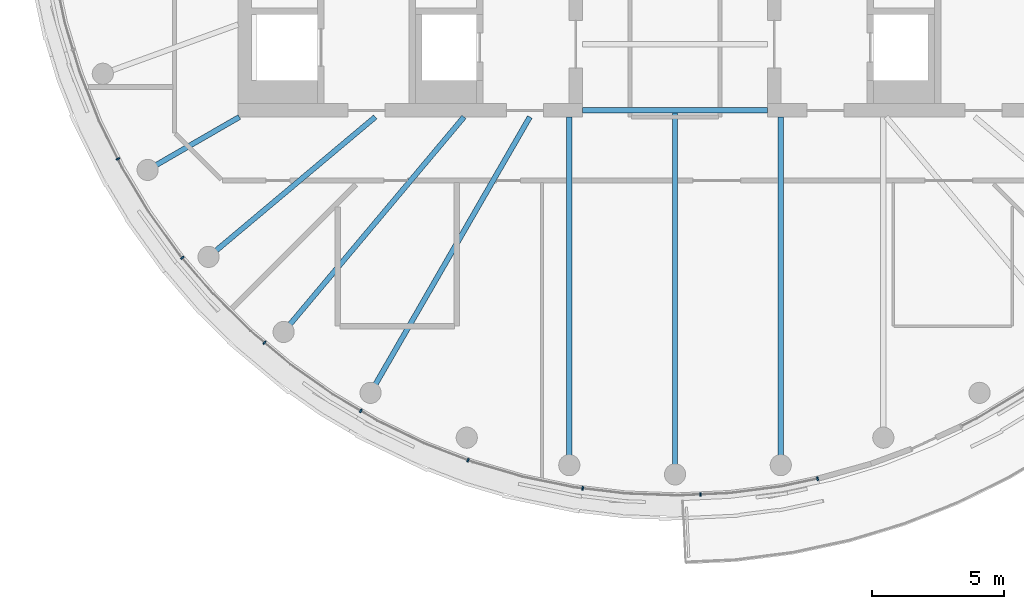
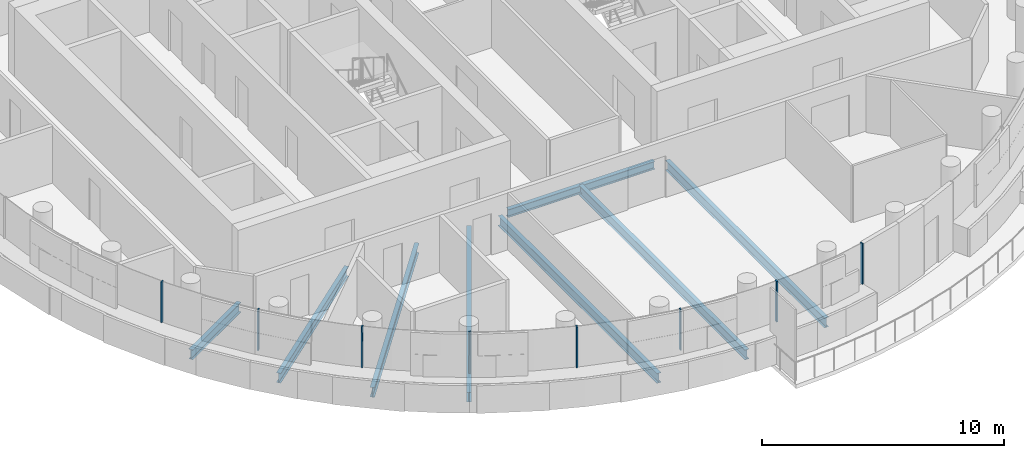
# One storey, part 2 of 21: 8 beams, 8 members, 1 element without a shape of its own.
"""IFC4 building model written with IfcOpenShell, lengths in metres."""

from ifc_helpers import new_model, si_unit, direction, frame, origin, origin_2d, place, context, subcontext, project, spatial, rectangle, i_section, extrude, material, layer, layer_set, material_profile, profile_set, type_object, element, aggregate, save


model = new_model("IFC4")

# Units and contexts
model_context = context("Model", 3, precision=1e-05, world=origin(), true_north=direction((0.0, 1.0)))
body_context = subcontext(model_context, "Body", "Model", "MODEL_VIEW")
ifc_project = project(units=[si_unit("LENGTHUNIT", "METRE"), si_unit("AREAUNIT", "SQUARE_METRE"), si_unit("VOLUMEUNIT", "CUBIC_METRE"), si_unit("PLANEANGLEUNIT", "RADIAN"), si_unit("MASSUNIT", "GRAM", prefix="KILO")], contexts=[model_context])

# Site, building, storey
site_placement = place(None, origin())
site = spatial("IfcSite", under=ifc_project, at=site_placement, CompositionType="ELEMENT")
building_placement = place(site_placement, origin())
building = spatial("IfcBuilding", under=site, at=building_placement, Name="Tamarind Cross Interchange Tower", CompositionType="ELEMENT")
storey_placement = place(building_placement, frame((0.0, 0.0, 264.0)))
storey = spatial("IfcBuildingStorey", under=building, at=storey_placement, Name="L67", CompositionType="ELEMENT", Elevation=264.0)

# Beams
ifc_material_1 = material(Name="Steel Q355B", Category="steel")
ifc_material_profile_1 = material_profile(ifc_material_1, i_section(OverallWidth=0.199951171875, OverallDepth=0.39990234375, WebThickness=0.008056640625, FlangeThickness=0.012939453125, FilletRadius=0.01611328125, at=origin_2d()), Name="HN 400x200x8x13")
ifc_profile_set_1 = profile_set([ifc_material_profile_1], Name="Steel Q355B")
beam_type_1 = type_object("IfcBeamType", Name="Composite beam HN 400x200x8x13 Q355B", PredefinedType="BEAM", material=ifc_profile_set_1)
beam_1_placement = place(storey_placement, frame((-3.5, -9.25, -0.340087890625), z_axis=(1.0, 0.0, 0.0), x_axis=(0.0, 1.0, 0.0)))
element("IfcBeam", 1, at=beam_1_placement, inside=storey, type_object=beam_type_1, Name="Beam G-9.25", PredefinedType="BEAM", context=body_context, shape_type="SweptSolid", body=[
    extrude(i_section(OverallWidth=0.199951171875, OverallDepth=0.39990234375, WebThickness=0.008056640625, FlangeThickness=0.012939453125, FilletRadius=0.01611328125, at=origin_2d()), origin(), (0.0, 0.0, 1.0), 7.0),
])
ifc_material_profile_2 = material_profile(ifc_material_1, i_section(OverallWidth=0.198974609375, OverallDepth=0.49609375, WebThickness=0.009033203125, FlangeThickness=0.013916015625, FilletRadius=0.012939453125, at=origin_2d()), Name="HN 496x199x9x14")
ifc_profile_set_2 = profile_set([ifc_material_profile_2], Name="Steel Q355B")
beam_type_2 = type_object("IfcBeamType", Name="Composite beam HN 496x199x9x14 Q355B", PredefinedType="BEAM", material=ifc_profile_set_2)
beam_2_placement = place(storey_placement, frame((-19.918701171875, -11.5, -0.387939453125), z_axis=(0.866026010844, 0.49999894854, 0.0), x_axis=(-0.49999894854, 0.866026010844, 0.0)))
element("IfcBeam", 2, at=beam_2_placement, inside=storey, type_object=beam_type_2, Name="Beam HH21", PredefinedType="BEAM", context=body_context, shape_type="SweptSolid", body=[
    extrude(i_section(OverallWidth=0.198974609375, OverallDepth=0.49609375, WebThickness=0.009033203125, FlangeThickness=0.013916015625, FilletRadius=0.012939453125, at=origin_2d()), origin(), (0.0, 0.0, 1.0), 4.0),
])
beam_3_placement = place(storey_placement, frame((-17.619140625, -14.7841796875, -0.387939453125), z_axis=(0.766040580814, 0.642792212574, 0.0), x_axis=(-0.642792212574, 0.766040580814, 0.0)))
element("IfcBeam", 3, at=beam_3_placement, inside=storey, type_object=beam_type_2, Name="Beam HH22", PredefinedType="BEAM", context=body_context, shape_type="SweptSolid", body=[
    extrude(i_section(OverallWidth=0.198974609375, OverallDepth=0.49609375, WebThickness=0.009033203125, FlangeThickness=0.013916015625, FilletRadius=0.012939453125, at=origin_2d()), origin(), (0.0, 0.0, 1.0), 8.220703125),
])
beam_4_placement = place(storey_placement, frame((-14.7841796875, -17.619140625, -0.387939453125), z_axis=(0.642786293979, 0.766045547127, 0.0), x_axis=(-0.766045547127, 0.642786293979, 0.0)))
element("IfcBeam", 4, at=beam_4_placement, inside=storey, type_object=beam_type_2, Name="Beam HH23", PredefinedType="BEAM", context=body_context, shape_type="SweptSolid", body=[
    extrude(i_section(OverallWidth=0.198974609375, OverallDepth=0.49609375, WebThickness=0.009033203125, FlangeThickness=0.013916015625, FilletRadius=0.012939453125, at=origin_2d()), origin(), (0.0, 0.0, 1.0), 10.598876953125),
])
beam_5_placement = place(storey_placement, frame((-11.5, -19.918701171875, -0.387939453125), z_axis=(0.499993565836, 0.866029118519, 0.0), x_axis=(-0.866029118519, 0.499993565836, 0.0)))
element("IfcBeam", 5, at=beam_5_placement, inside=storey, type_object=beam_type_2, Name="Beam HH24", PredefinedType="BEAM", context=body_context, shape_type="SweptSolid", body=[
    extrude(i_section(OverallWidth=0.198974609375, OverallDepth=0.49609375, WebThickness=0.009033203125, FlangeThickness=0.013916015625, FilletRadius=0.012939453125, at=origin_2d()), origin(), (0.0, 0.0, 1.0), 12.030517578125),
])
beam_6_placement = place(storey_placement, frame((-3.993896484375, -22.650634765625, -0.387939453125), z_axis=(0.0, 1.0, 0.0), x_axis=(-1.0, 0.0, 0.0)))
element("IfcBeam", 6, at=beam_6_placement, inside=storey, type_object=beam_type_2, Name="Beam HH26", PredefinedType="BEAM", context=body_context, shape_type="SweptSolid", body=[
    extrude(i_section(OverallWidth=0.198974609375, OverallDepth=0.49609375, WebThickness=0.009033203125, FlangeThickness=0.013916015625, FilletRadius=0.012939453125, at=origin_2d()), origin(), (0.0, 0.0, 1.0), 13.150634765625),
])
beam_7_placement = place(storey_placement, frame((0.0, -23.0, -0.387939453125), z_axis=(0.0, 1.0, 0.0), x_axis=(-1.0, 0.0, 0.0)))
element("IfcBeam", 7, at=beam_7_placement, inside=storey, type_object=beam_type_2, Name="Beam HH27", PredefinedType="BEAM", context=body_context, shape_type="SweptSolid", body=[
    extrude(i_section(OverallWidth=0.198974609375, OverallDepth=0.49609375, WebThickness=0.009033203125, FlangeThickness=0.013916015625, FilletRadius=0.012939453125, at=origin_2d()), origin(), (0.0, 0.0, 1.0), 13.75),
])
beam_8_placement = place(storey_placement, frame((3.993896484375, -22.650634765625, -0.387939453125), z_axis=(0.0, 1.0, 0.0), x_axis=(-1.0, 0.0, 0.0)))
element("IfcBeam", 8, at=beam_8_placement, inside=storey, type_object=beam_type_2, Name="Beam HH28", PredefinedType="BEAM", context=body_context, shape_type="SweptSolid", body=[
    extrude(i_section(OverallWidth=0.198974609375, OverallDepth=0.49609375, WebThickness=0.009033203125, FlangeThickness=0.013916015625, FilletRadius=0.012939453125, at=origin_2d()), origin(), (0.0, 0.0, 1.0), 13.150634765625),
])

# Curtain wall, members
ifc_material_2 = material(Name="Aluminium 6063-T6", Category="aluminium")
ifc_layer = layer(ifc_material_2, 0.139892578125)
ifc_layer_set = layer_set([ifc_layer], Name="Aluminium 6063-T6")
curtain_wall_type = type_object("IfcCurtainWallType", Name="Hotel curtain wall, 4.5 m bays", PredefinedType="NOTDEFINED", material=ifc_layer_set)
curtain_wall_placement = place(storey_placement, origin())
curtain_wall = element("IfcCurtainWall", 9, at=curtain_wall_placement, inside=storey, type_object=curtain_wall_type, Name="CWS-L67-01", PredefinedType="NOTDEFINED")
ifc_material_profile_3 = material_profile(ifc_material_2, rectangle(XDim=0.06005859375, YDim=0.139892578125, at=origin_2d()), Name="Mullion CW2")
ifc_profile_set_3 = profile_set([ifc_material_profile_3], Name="Aluminium 6063-T6")
member_type = type_object("IfcMemberType", Name="Mullion CW2", PredefinedType="MULLION", material=ifc_profile_set_3)
member_1_placement = place(storey_placement, frame((-21.04296875, -11.083251953125, 1.39990234375), z_axis=(0.0, 0.0, 1.0), x_axis=(0.443058811505, -0.896492548518, 0.0)))
member_1 = element("IfcMember", 10, at=member_1_placement, type_object=member_type, Name="CWM-L67-01-08", PredefinedType="MULLION", context=body_context, shape_type="SweptSolid", body=[
    extrude(rectangle(XDim=0.06005859375, YDim=0.139892578125, at=origin_2d()), origin(), (0.0, 0.0, 1.0), 2.06005859375),
])
member_2_placement = place(storey_placement, frame((-18.609619140625, -14.81982421875, 1.39990234375), z_axis=(0.0, 0.0, 1.0), x_axis=(0.64957723968, -0.760295606781, 0.0)))
member_2 = element("IfcMember", 11, at=member_2_placement, type_object=member_type, Name="CWM-L67-01-09", PredefinedType="MULLION", context=body_context, shape_type="SweptSolid", body=[
    extrude(rectangle(XDim=0.06005859375, YDim=0.139892578125, at=origin_2d()), origin(), (0.0, 0.0, 1.0), 2.06005859375),
])
member_3_placement = place(storey_placement, frame((-15.5078125, -18.02392578125, 1.39990234375), z_axis=(0.0, 0.0, 1.0), x_axis=(0.765858396687, -0.643009266048, 0.0)))
member_3 = element("IfcMember", 12, at=member_3_placement, type_object=member_type, Name="CWM-L67-01-10", PredefinedType="MULLION", context=body_context, shape_type="SweptSolid", body=[
    extrude(rectangle(XDim=0.06005859375, YDim=0.139892578125, at=origin_2d()), origin(), (0.0, 0.0, 1.0), 2.06005859375),
])
member_4_placement = place(storey_placement, frame((-11.8701171875, -20.601806640625, 1.39990234375), z_axis=(0.0, 0.0, 1.0), x_axis=(0.861248933065, -0.508183308752, 0.0)))
member_4 = element("IfcMember", 13, at=member_4_placement, type_object=member_type, Name="CWM-L67-01-11", PredefinedType="MULLION", context=body_context, shape_type="SweptSolid", body=[
    extrude(rectangle(XDim=0.06005859375, YDim=0.139892578125, at=origin_2d()), origin(), (0.0, 0.0, 1.0), 2.06005859375),
])
member_5_placement = place(storey_placement, frame((-7.819091796875, -22.466552734375, 1.39990234375), z_axis=(0.0, 0.0, 1.0), x_axis=(0.933146843667, -0.359495435512, 0.0)))
member_5 = element("IfcMember", 14, at=member_5_placement, type_object=member_type, Name="CWM-L67-01-12", PredefinedType="MULLION", context=body_context, shape_type="SweptSolid", body=[
    extrude(rectangle(XDim=0.06005859375, YDim=0.139892578125, at=origin_2d()), origin(), (0.0, 0.0, 1.0), 2.06005859375),
])
member_6_placement = place(storey_placement, frame((-3.488037109375, -23.52734375, 1.39990234375), z_axis=(0.0, 0.0, 1.0), x_axis=(0.992843710523, -0.119420963295, 0.0)))
member_6 = element("IfcMember", 15, at=member_6_placement, type_object=member_type, Name="CWM-L67-01-13", PredefinedType="MULLION", context=body_context, shape_type="SweptSolid", body=[
    extrude(rectangle(XDim=0.06005859375, YDim=0.139892578125, at=origin_2d()), origin(), (0.0, 0.0, 1.0), 2.06005859375),
])
member_7_placement = place(storey_placement, frame((0.965087890625, -23.756103515625, 1.39990234375), z_axis=(0.0, 0.0, 1.0), x_axis=(0.998958660912, 0.045624486728, 0.0)))
member_7 = element("IfcMember", 16, at=member_7_placement, type_object=member_type, Name="CWM-L67-01-14", PredefinedType="MULLION", context=body_context, shape_type="SweptSolid", body=[
    extrude(rectangle(XDim=0.06005859375, YDim=0.139892578125, at=origin_2d()), origin(), (0.0, 0.0, 1.0), 2.06005859375),
])
member_8_placement = place(storey_placement, frame((5.384033203125, -23.16162109375, 1.39990234375), z_axis=(0.0, 0.0, 1.0), x_axis=(0.977824623121, 0.209425419705, 0.0)))
member_8 = element("IfcMember", 17, at=member_8_placement, type_object=member_type, Name="CWM-L67-01-15", PredefinedType="MULLION", context=body_context, shape_type="SweptSolid", body=[
    extrude(rectangle(XDim=0.06005859375, YDim=0.139892578125, at=origin_2d()), origin(), (0.0, 0.0, 1.0), 2.06005859375),
])
aggregate(curtain_wall, [member_1, member_2, member_3, member_4, member_5, member_6, member_7, member_8])

save(model, "model.ifc")
